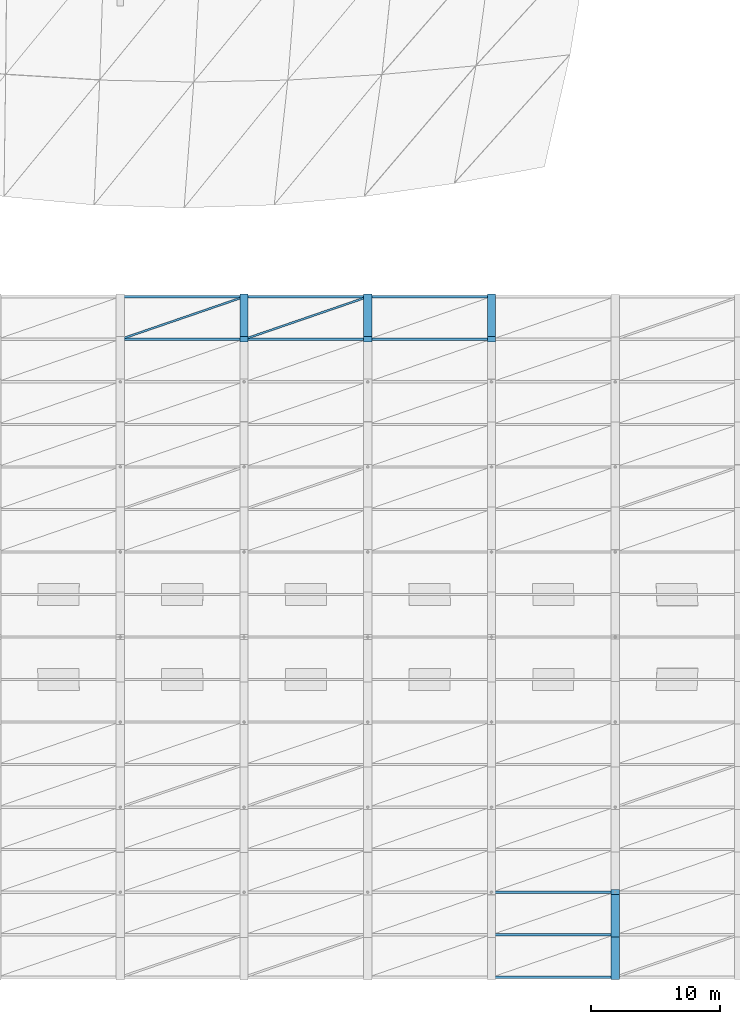
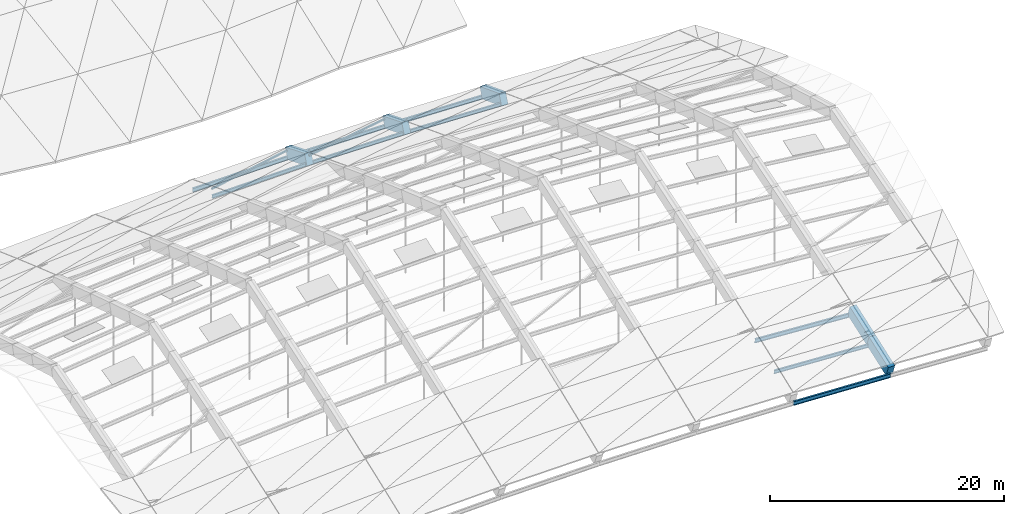
# One storey, part 27 of 43: 11 members, 5 beams.
"""IFC4 building model written with IfcOpenShell, lengths in metres."""

from ifc_helpers import new_model, si_unit, direction, frame, origin, origin_2d, place, context, subcontext, project, spatial, rectangle, hollow_rectangle, i_section, extrude, material, material_profile, profile_set, type_object, element, save


model = new_model("IFC4")

# Units and contexts
model_context = context("Model", 3, precision=1e-05, world=origin(), true_north=direction((0.0, 1.0)))
body_context = subcontext(model_context, "Body", "Model", "MODEL_VIEW")
ifc_project = project(units=[si_unit("LENGTHUNIT", "METRE"), si_unit("AREAUNIT", "SQUARE_METRE"), si_unit("VOLUMEUNIT", "CUBIC_METRE"), si_unit("PLANEANGLEUNIT", "RADIAN"), si_unit("MASSUNIT", "GRAM", prefix="KILO")], contexts=[model_context])

# Site, building, storey
site_placement = place(None, origin())
site = spatial("IfcSite", under=ifc_project, at=site_placement, CompositionType="ELEMENT")
building_placement = place(site_placement, origin())
building = spatial("IfcBuilding", under=site, at=building_placement, Name="Chalmorin Arch Market", CompositionType="ELEMENT")
storey_placement = place(building_placement, frame((0.0, 0.0, 18.60009765625)))
storey = spatial("IfcBuildingStorey", under=building, at=storey_placement, Name="RF", CompositionType="ELEMENT", Elevation=18.60009765625)

# Beams
ifc_material_1 = material(Name="Concrete C50/60", Category="concrete")
ifc_material_profile_1 = material_profile(ifc_material_1, rectangle(XDim=0.64990234375, YDim=1.14990234375, at=origin_2d()), Name="RC650X1150")
ifc_profile_set_1 = profile_set([ifc_material_profile_1], Name="Concrete C50/60")
beam_type = type_object("IfcBeamType", Name="ArchRibChord-650x1150", PredefinedType="BEAM", material=ifc_profile_set_1)
beam_1_placement = place(storey_placement, frame((86.39990234375, 55.5, -0.56103515625), z_axis=(0.0, 0.926616651125, -0.37600742261), x_axis=(-1.0, 0.0, 0.0)))
element("IfcBeam", 1, at=beam_1_placement, inside=storey, type_object=beam_type, Name="AR-01-1676", PredefinedType="BEAM", context=body_context, shape_type="SweptSolid", body=[
    extrude(rectangle(XDim=0.64990234375, YDim=1.14990234375, at=origin_2d()), origin(), (0.0, 0.0, 1.0), 3.561279296875),
])
beam_2_placement = place(storey_placement, frame((96.0, 55.5, -0.681884765625), z_axis=(0.0, 0.928377186823, -0.371639339935), x_axis=(-1.0, 0.0, 0.0)))
element("IfcBeam", 2, at=beam_2_placement, inside=storey, type_object=beam_type, Name="AR-01-1695", PredefinedType="BEAM", context=body_context, shape_type="SweptSolid", body=[
    extrude(rectangle(XDim=0.64990234375, YDim=1.14990234375, at=origin_2d()), origin(), (0.0, 0.0, 1.0), 3.5546875),
])
beam_3_placement = place(storey_placement, frame((105.60009765625, 55.5, -1.026123046875), z_axis=(0.0, 0.933342046905, -0.358988333347), x_axis=(-1.0, 0.0, 0.0)))
element("IfcBeam", 3, at=beam_3_placement, inside=storey, type_object=beam_type, Name="AR-01-1714", PredefinedType="BEAM", context=body_context, shape_type="SweptSolid", body=[
    extrude(rectangle(XDim=0.64990234375, YDim=1.14990234375, at=origin_2d()), origin(), (0.0, 0.0, 1.0), 3.53564453125),
])
beam_4_placement = place(storey_placement, frame((115.199951171875, 6.0, -2.7333984375), z_axis=(0.0, 0.940512524689, 0.339759018869), x_axis=(-1.0, 0.0, 0.0)))
element("IfcBeam", 4, at=beam_4_placement, inside=storey, type_object=beam_type, Name="AR-01-1718", PredefinedType="BEAM", context=body_context, shape_type="SweptSolid", body=[
    extrude(rectangle(XDim=0.64990234375, YDim=1.14990234375, at=origin_2d()), origin(), (0.0, 0.0, 1.0), 3.5087890625),
])
beam_5_placement = place(storey_placement, frame((115.199951171875, 9.300048828125, -1.541259765625), z_axis=(0.0, 0.94300578807, 0.332776326781), x_axis=(-1.0, 0.0, 0.0)))
element("IfcBeam", 5, at=beam_5_placement, inside=storey, type_object=beam_type, Name="AR-01-1719", PredefinedType="BEAM", context=body_context, shape_type="SweptSolid", body=[
    extrude(rectangle(XDim=0.64990234375, YDim=1.14990234375, at=origin_2d()), origin(), (0.0, 0.0, 1.0), 3.49951171875),
])

# Members
ifc_material_2 = material(Name="Steel A992 Grade 50", Category="steel")
ifc_material_profile_2 = material_profile(ifc_material_2, i_section(OverallWidth=0.1708984375, OverallDepth=0.35107421875, WebThickness=0.0068359375, FlangeThickness=0.009765625, FilletRadius=0.014892578125, at=origin_2d()), Name="W14X30")
ifc_profile_set_2 = profile_set([ifc_material_profile_2], Name="Steel A992 Grade 50")
member_type_1 = type_object("IfcMemberType", Name="RoofSteelPurlin-W14X30", PredefinedType="PURLIN", material=ifc_profile_set_2)
member_1_placement = place(storey_placement, frame((76.820068359375, 55.5, -1.162109375), z_axis=(0.999919783765, 0.0, 0.012665940004), x_axis=(0.0, 1.0, 0.0)))
element("IfcMember", 6, at=member_1_placement, inside=storey, type_object=member_type_1, Name="PR-W14-0254", PredefinedType="PURLIN", context=body_context, shape_type="SweptSolid", body=[
    extrude(i_section(OverallWidth=0.1708984375, OverallDepth=0.35107421875, WebThickness=0.0068359375, FlangeThickness=0.009765625, FilletRadius=0.014892578125, at=origin_2d()), origin(), (0.0, 0.0, 1.0), 9.560546875),
])
member_2_placement = place(storey_placement, frame((86.419921875, 55.5, -1.041015625), z_axis=(0.999919787861, 0.0, -0.012665616599), x_axis=(0.0, 1.0, 0.0)))
element("IfcMember", 7, at=member_2_placement, inside=storey, type_object=member_type_1, Name="PR-W14-0275", PredefinedType="PURLIN", context=body_context, shape_type="SweptSolid", body=[
    extrude(i_section(OverallWidth=0.1708984375, OverallDepth=0.35107421875, WebThickness=0.0068359375, FlangeThickness=0.009765625, FilletRadius=0.014892578125, at=origin_2d()), origin(), (0.0, 0.0, 1.0), 9.560791015625),
])
member_3_placement = place(storey_placement, frame((96.02001953125, 55.5, -1.162109375), z_axis=(0.99935326031, 0.0, -0.035959158889), x_axis=(0.0, 1.0, 0.0)))
element("IfcMember", 8, at=member_3_placement, inside=storey, type_object=member_type_1, Name="PR-W14-0296", PredefinedType="PURLIN", context=body_context, shape_type="SweptSolid", body=[
    extrude(i_section(OverallWidth=0.1708984375, OverallDepth=0.35107421875, WebThickness=0.0068359375, FlangeThickness=0.009765625, FilletRadius=0.014892578125, at=origin_2d()), origin(), (0.0, 0.0, 1.0), 9.566162109375),
])
member_4_placement = place(storey_placement, frame((105.6201171875, 9.300048828125, -1.506103515625), z_axis=(0.998551322998, 0.0, -0.053807576973), x_axis=(0.0, 1.0, 0.0)))
element("IfcMember", 9, at=member_4_placement, inside=storey, type_object=member_type_1, Name="PR-W14-0299", PredefinedType="PURLIN", context=body_context, shape_type="SweptSolid", body=[
    extrude(i_section(OverallWidth=0.1708984375, OverallDepth=0.35107421875, WebThickness=0.0068359375, FlangeThickness=0.009765625, FilletRadius=0.014892578125, at=origin_2d()), origin(), (0.0, 0.0, 1.0), 9.57373046875),
])
ifc_material_profile_3 = material_profile(ifc_material_2, i_section(OverallWidth=0.178955078125, OverallDepth=0.409912109375, WebThickness=0.0087890625, FlangeThickness=0.014404296875, FilletRadius=0.01806640625, at=origin_2d()), Name="W16X45")
ifc_profile_set_3 = profile_set([ifc_material_profile_3], Name="Steel A992 Grade 50")
member_type_2 = type_object("IfcMemberType", Name="RoofSteelPurlin-W16X45", PredefinedType="PURLIN", material=ifc_profile_set_3)
member_5_placement = place(storey_placement, frame((76.820068359375, 58.800048828125, -2.48291015625), z_axis=(0.999942206669, 0.0, 0.010750968384), x_axis=(0.0, 1.0, 0.0)))
element("IfcMember", 10, at=member_5_placement, inside=storey, type_object=member_type_2, Name="PR-W16-0255", PredefinedType="PURLIN", context=body_context, shape_type="SweptSolid", body=[
    extrude(i_section(OverallWidth=0.178955078125, OverallDepth=0.409912109375, WebThickness=0.0087890625, FlangeThickness=0.014404296875, FilletRadius=0.01806640625, at=origin_2d()), origin(), (0.0, 0.0, 1.0), 9.560302734375),
])
member_6_placement = place(storey_placement, frame((86.419921875, 58.800048828125, -2.380126953125), z_axis=(0.999942209621, 0.0, -0.010750693862), x_axis=(0.0, 1.0, 0.0)))
element("IfcMember", 11, at=member_6_placement, inside=storey, type_object=member_type_2, Name="PR-W16-0276", PredefinedType="PURLIN", context=body_context, shape_type="SweptSolid", body=[
    extrude(i_section(OverallWidth=0.178955078125, OverallDepth=0.409912109375, WebThickness=0.0087890625, FlangeThickness=0.014404296875, FilletRadius=0.01806640625, at=origin_2d()), origin(), (0.0, 0.0, 1.0), 9.560546875),
])
member_7_placement = place(storey_placement, frame((96.02001953125, 58.800048828125, -2.48291015625), z_axis=(0.999532331741, 0.0, -0.030579695935), x_axis=(0.0, 1.0, 0.0)))
element("IfcMember", 12, at=member_7_placement, inside=storey, type_object=member_type_2, Name="PR-W16-0297", PredefinedType="PURLIN", context=body_context, shape_type="SweptSolid", body=[
    extrude(i_section(OverallWidth=0.178955078125, OverallDepth=0.409912109375, WebThickness=0.0087890625, FlangeThickness=0.014404296875, FilletRadius=0.01806640625, at=origin_2d()), origin(), (0.0, 0.0, 1.0), 9.564453125),
])
member_8_placement = place(storey_placement, frame((105.6201171875, 6.0, -2.775390625), z_axis=(0.998952116488, 0.0, -0.045767553617), x_axis=(0.0, 1.0, 0.0)))
element("IfcMember", 13, at=member_8_placement, inside=storey, type_object=member_type_2, Name="PR-W16-0298", PredefinedType="PURLIN", context=body_context, shape_type="SweptSolid", body=[
    extrude(i_section(OverallWidth=0.178955078125, OverallDepth=0.409912109375, WebThickness=0.0087890625, FlangeThickness=0.014404296875, FilletRadius=0.01806640625, at=origin_2d()), origin(), (0.0, 0.0, 1.0), 9.56982421875),
])
member_9_placement = place(storey_placement, frame((105.6201171875, 12.60009765625, -0.26611328125), z_axis=(0.998097248777, 0.0, -0.061659403039), x_axis=(0.0, 1.0, 0.0)))
element("IfcMember", 14, at=member_9_placement, inside=storey, type_object=member_type_2, Name="PR-W16-0300", PredefinedType="PURLIN", context=body_context, shape_type="SweptSolid", body=[
    extrude(i_section(OverallWidth=0.178955078125, OverallDepth=0.409912109375, WebThickness=0.0087890625, FlangeThickness=0.014404296875, FilletRadius=0.01806640625, at=origin_2d()), origin(), (0.0, 0.0, 1.0), 9.578125),
])
ifc_material_3 = material(Name="Steel A500 Grade C", Category="steel")
ifc_material_profile_4 = material_profile(ifc_material_3, hollow_rectangle(XDim=0.15234375, YDim=0.15234375, WallThickness=0.0087890625, at=origin_2d()), Name="HSS6X6X3/8")
ifc_profile_set_4 = profile_set([ifc_material_profile_4], Name="Steel A500 Grade C")
member_type_3 = type_object("IfcMemberType", Name="VaultWindBrace-HSS6X6", PredefinedType="BRACE", material=ifc_profile_set_4)
member_10_placement = place(storey_placement, frame((76.800048828125, 55.5, -0.33203125), z_axis=(0.938948763765, 0.322773338415, -0.119132661489), x_axis=(-0.325088506439, 0.945683595597, 0.0)))
element("IfcMember", 15, at=member_10_placement, inside=storey, type_object=member_type_3, Name="BR-HS6-0259", ObjectType="Diagonal brace", PredefinedType="BRACE", context=body_context, shape_type="SweptSolid", body=[
    extrude(hollow_rectangle(XDim=0.15234375, YDim=0.15234375, WallThickness=0.0087890625, at=origin_2d()), origin(), (0.0, 0.0, 1.0), 10.22412109375),
])
member_11_placement = place(storey_placement, frame((86.39990234375, 55.5, -0.211181640625), z_axis=(0.936291705842, 0.321851762064, -0.14060328882), x_axis=(-0.325081112779, 0.945686137212, 0.0)))
element("IfcMember", 16, at=member_11_placement, inside=storey, type_object=member_type_3, Name="BR-HS6-0280", ObjectType="Diagonal brace", PredefinedType="BRACE", context=body_context, shape_type="SweptSolid", body=[
    extrude(hollow_rectangle(XDim=0.15234375, YDim=0.15234375, WallThickness=0.0087890625, at=origin_2d()), origin(), (0.0, 0.0, 1.0), 10.25341796875),
])

save(model, "model.ifc")
